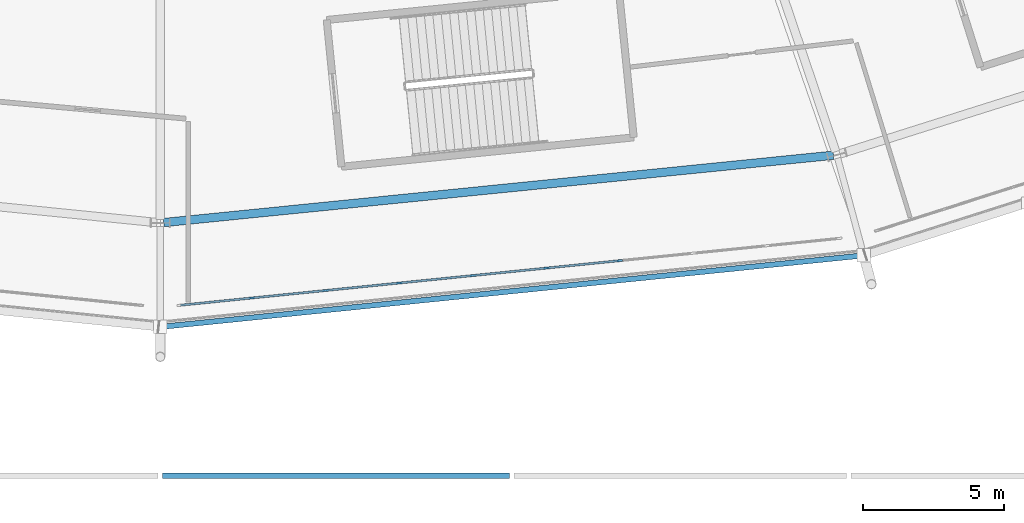
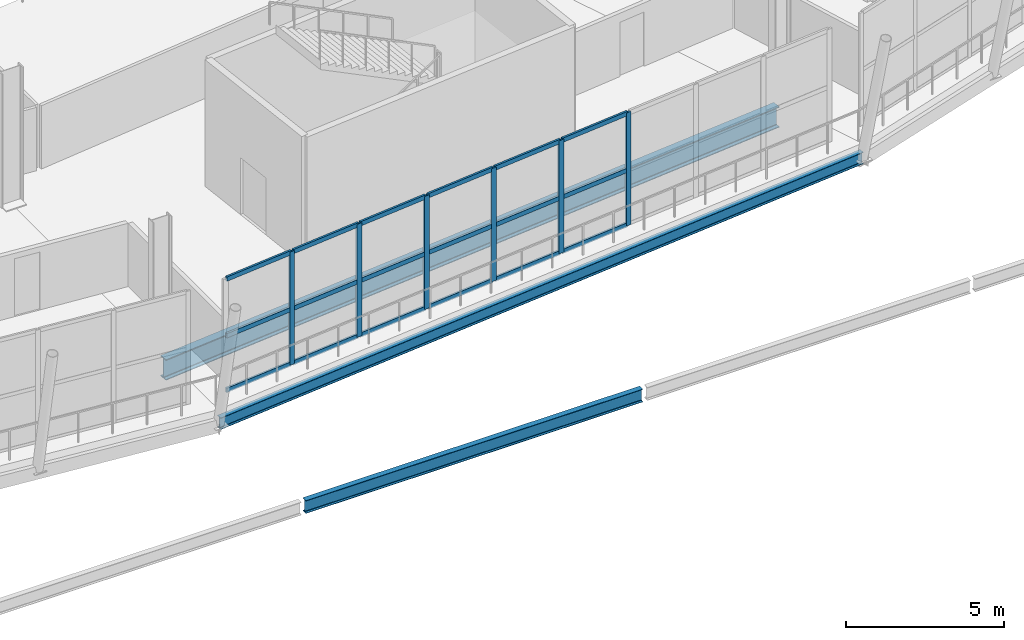
# One storey, part 33 of 168: 24 members, 3 beams, 1 element without a shape of its own.
"""IFC4 building model written with IfcOpenShell, lengths in metres."""

from ifc_helpers import new_model, si_unit, direction, frame, origin, origin_2d, place, context, subcontext, project, spatial, rectangle, i_section, extrude, material, material_profile, profile_set, type_object, element, aggregate, save


model = new_model("IFC4")

# Units and contexts
model_context = context("Model", 3, precision=1e-05, world=origin(), true_north=direction((0.0, 1.0)))
body_context = subcontext(model_context, "Body", "Model", "MODEL_VIEW")
ifc_project = project(units=[si_unit("LENGTHUNIT", "METRE"), si_unit("AREAUNIT", "SQUARE_METRE"), si_unit("VOLUMEUNIT", "CUBIC_METRE"), si_unit("PLANEANGLEUNIT", "RADIAN"), si_unit("MASSUNIT", "GRAM", prefix="KILO")], contexts=[model_context])

# Site, building, storey
site_placement = place(None, origin())
site = spatial("IfcSite", under=ifc_project, at=site_placement, CompositionType="ELEMENT")
building_placement = place(site_placement, origin())
building = spatial("IfcBuilding", under=site, at=building_placement, Name="Zlatoyarsky Gate Stadium", CompositionType="ELEMENT")
storey_placement = place(building_placement, frame((0.0, 0.0, 15.60009765625)))
storey = spatial("IfcBuildingStorey", under=building, at=storey_placement, Name="L03", CompositionType="ELEMENT", Elevation=15.60009765625)

# Curtain wall, members
ifc_material_1 = material(Name="Thermally broken anodised aluminium curtain wall", Category="aluminium")
curtain_wall_type = type_object("IfcCurtainWallType", Name="MONUMENTAL ARCHED GATE GLAZING UPPER", PredefinedType="USERDEFINED", material=ifc_material_1)
curtain_wall_placement = place(storey_placement, origin())
curtain_wall = element("IfcCurtainWall", 1, at=curtain_wall_placement, inside=storey, type_object=curtain_wall_type, Name="Curtain wall CW-L03-18", ObjectType="ARCHED GATE GLAZING", PredefinedType="USERDEFINED")
ifc_material_2 = material(Name="Anodised aluminium 6063-T6", Category="aluminium")
ifc_material_profile_1 = material_profile(ifc_material_2, rectangle(XDim=0.074951171875, YDim=0.18994140625, at=origin_2d()), Name="ALU 75X190")
ifc_profile_set_1 = profile_set([ifc_material_profile_1], Name="Anodised aluminium 6063-T6")
member_type_1 = type_object("IfcMemberType", Name="ALUMINIUM GATE MULLION 75X190", PredefinedType="MULLION", material=ifc_profile_set_1)
member_1_placement = place(storey_placement, frame((114.263671875, 6.3291015625, 0.0), z_axis=(0.0, 0.0, 1.0), x_axis=(-0.100968176403, 0.994889655868, 0.0)))
member_1 = element("IfcMember", 2, at=member_1_placement, type_object=member_type_1, Name="CW-AG2 mullion 2", PredefinedType="MULLION", context=body_context, shape_type="SweptSolid", body=[
    extrude(rectangle(XDim=0.074951171875, YDim=0.18994140625, at=origin_2d()), origin(), (0.0, 0.0, 1.0), 4.3798828125),
])
member_2_placement = place(storey_placement, frame((116.880859375, 6.594482421875, 0.0), z_axis=(0.0, 0.0, 1.0), x_axis=(-0.100968176403, 0.994889655868, 0.0)))
member_2 = element("IfcMember", 3, at=member_2_placement, type_object=member_type_1, Name="CW-AG2 mullion 3", PredefinedType="MULLION", context=body_context, shape_type="SweptSolid", body=[
    extrude(rectangle(XDim=0.074951171875, YDim=0.18994140625, at=origin_2d()), origin(), (0.0, 0.0, 1.0), 4.3798828125),
])
member_3_placement = place(storey_placement, frame((119.498046875, 6.860107421875, 0.0), z_axis=(0.0, 0.0, 1.0), x_axis=(-0.100968176403, 0.994889655868, 0.0)))
member_3 = element("IfcMember", 4, at=member_3_placement, type_object=member_type_1, Name="CW-AG2 mullion 4", PredefinedType="MULLION", context=body_context, shape_type="SweptSolid", body=[
    extrude(rectangle(XDim=0.074951171875, YDim=0.18994140625, at=origin_2d()), origin(), (0.0, 0.0, 1.0), 4.3798828125),
])
member_4_placement = place(storey_placement, frame((122.114990234375, 7.125732421875, 0.0), z_axis=(0.0, 0.0, 1.0), x_axis=(-0.100968176403, 0.994889655868, 0.0)))
member_4 = element("IfcMember", 5, at=member_4_placement, type_object=member_type_1, Name="CW-AG2 mullion 5", PredefinedType="MULLION", context=body_context, shape_type="SweptSolid", body=[
    extrude(rectangle(XDim=0.074951171875, YDim=0.18994140625, at=origin_2d()), origin(), (0.0, 0.0, 1.0), 4.3798828125),
])
member_5_placement = place(storey_placement, frame((124.732177734375, 7.391357421875, 0.0), z_axis=(0.0, 0.0, 1.0), x_axis=(-0.100968176403, 0.994889655868, 0.0)))
member_5 = element("IfcMember", 6, at=member_5_placement, type_object=member_type_1, Name="CW-AG2 mullion 6", PredefinedType="MULLION", context=body_context, shape_type="SweptSolid", body=[
    extrude(rectangle(XDim=0.074951171875, YDim=0.18994140625, at=origin_2d()), origin(), (0.0, 0.0, 1.0), 4.3798828125),
])
member_6_placement = place(storey_placement, frame((127.34912109375, 7.656982421875, 0.0), z_axis=(0.0, 0.0, 1.0), x_axis=(-0.100968176403, 0.994889655868, 0.0)))
member_6 = element("IfcMember", 7, at=member_6_placement, type_object=member_type_1, Name="CW-AG2 mullion 7", PredefinedType="MULLION", context=body_context, shape_type="SweptSolid", body=[
    extrude(rectangle(XDim=0.074951171875, YDim=0.18994140625, at=origin_2d()), origin(), (0.0, 0.0, 1.0), 4.3798828125),
])
ifc_material_profile_2 = material_profile(ifc_material_2, rectangle(XDim=0.074951171875, YDim=0.169921875, at=origin_2d()), Name="ALU 75X170")
ifc_profile_set_2 = profile_set([ifc_material_profile_2], Name="Anodised aluminium 6063-T6")
member_type_2 = type_object("IfcMemberType", Name="ALUMINIUM GATE TRANSOM 75X170", PredefinedType="USERDEFINED", material=ifc_profile_set_2)
member_7_placement = place(storey_placement, frame((111.721435546875, 6.071044921875, 0.037353515625), z_axis=(0.994893124044, 0.100933996894, 0.0), x_axis=(-0.100933996894, 0.994893124044, 0.0)))
member_7 = element("IfcMember", 8, at=member_7_placement, type_object=member_type_2, Name="CW-AG2 transom 1.1", ObjectType="TRANSOM", PredefinedType="USERDEFINED", context=body_context, shape_type="SweptSolid", body=[
    extrude(rectangle(XDim=0.074951171875, YDim=0.169921875, at=origin_2d()), origin(), (0.0, 0.0, 1.0), 2.51806640625),
])
member_8_placement = place(storey_placement, frame((111.721435546875, 6.071044921875, 2.14990234375), z_axis=(0.994893124044, 0.100933996894, 0.0), x_axis=(-0.100933996894, 0.994893124044, 0.0)))
member_8 = element("IfcMember", 9, at=member_8_placement, type_object=member_type_2, Name="CW-AG2 transom 1.2", ObjectType="TRANSOM", PredefinedType="USERDEFINED", context=body_context, shape_type="SweptSolid", body=[
    extrude(rectangle(XDim=0.074951171875, YDim=0.169921875, at=origin_2d()), origin(), (0.0, 0.0, 1.0), 2.51806640625),
])
member_9_placement = place(storey_placement, frame((111.721435546875, 6.071044921875, 4.34228515625), z_axis=(0.994893124044, 0.100933996894, 0.0), x_axis=(-0.100933996894, 0.994893124044, 0.0)))
member_9 = element("IfcMember", 10, at=member_9_placement, type_object=member_type_2, Name="CW-AG2 transom 1.3", ObjectType="TRANSOM", PredefinedType="USERDEFINED", context=body_context, shape_type="SweptSolid", body=[
    extrude(rectangle(XDim=0.074951171875, YDim=0.169921875, at=origin_2d()), origin(), (0.0, 0.0, 1.0), 2.51806640625),
])
member_10_placement = place(storey_placement, frame((114.301025390625, 6.332763671875, 0.037353515625), z_axis=(0.994888539036, 0.100979180503, 0.0), x_axis=(-0.100979180503, 0.994888539036, 0.0)))
member_10 = element("IfcMember", 11, at=member_10_placement, type_object=member_type_2, Name="CW-AG2 transom 2.1", ObjectType="TRANSOM", PredefinedType="USERDEFINED", context=body_context, shape_type="SweptSolid", body=[
    extrude(rectangle(XDim=0.074951171875, YDim=0.169921875, at=origin_2d()), origin(), (0.0, 0.0, 1.0), 2.5556640625),
])
member_11_placement = place(storey_placement, frame((114.301025390625, 6.332763671875, 2.14990234375), z_axis=(0.994888539036, 0.100979180503, 0.0), x_axis=(-0.100979180503, 0.994888539036, 0.0)))
member_11 = element("IfcMember", 12, at=member_11_placement, type_object=member_type_2, Name="CW-AG2 transom 2.2", ObjectType="TRANSOM", PredefinedType="USERDEFINED", context=body_context, shape_type="SweptSolid", body=[
    extrude(rectangle(XDim=0.074951171875, YDim=0.169921875, at=origin_2d()), origin(), (0.0, 0.0, 1.0), 2.5556640625),
])
member_12_placement = place(storey_placement, frame((114.301025390625, 6.332763671875, 4.34228515625), z_axis=(0.994888539036, 0.100979180503, 0.0), x_axis=(-0.100979180503, 0.994888539036, 0.0)))
member_12 = element("IfcMember", 13, at=member_12_placement, type_object=member_type_2, Name="CW-AG2 transom 2.3", ObjectType="TRANSOM", PredefinedType="USERDEFINED", context=body_context, shape_type="SweptSolid", body=[
    extrude(rectangle(XDim=0.074951171875, YDim=0.169921875, at=origin_2d()), origin(), (0.0, 0.0, 1.0), 2.5556640625),
])
member_13_placement = place(storey_placement, frame((116.918212890625, 6.598388671875, 0.037353515625), z_axis=(0.994888539036, 0.100979180503, 0.0), x_axis=(-0.100979180503, 0.994888539036, 0.0)))
member_13 = element("IfcMember", 14, at=member_13_placement, type_object=member_type_2, Name="CW-AG2 transom 3.1", ObjectType="TRANSOM", PredefinedType="USERDEFINED", context=body_context, shape_type="SweptSolid", body=[
    extrude(rectangle(XDim=0.074951171875, YDim=0.169921875, at=origin_2d()), origin(), (0.0, 0.0, 1.0), 2.5556640625),
])
member_14_placement = place(storey_placement, frame((116.918212890625, 6.598388671875, 2.14990234375), z_axis=(0.994888539036, 0.100979180503, 0.0), x_axis=(-0.100979180503, 0.994888539036, 0.0)))
member_14 = element("IfcMember", 15, at=member_14_placement, type_object=member_type_2, Name="CW-AG2 transom 3.2", ObjectType="TRANSOM", PredefinedType="USERDEFINED", context=body_context, shape_type="SweptSolid", body=[
    extrude(rectangle(XDim=0.074951171875, YDim=0.169921875, at=origin_2d()), origin(), (0.0, 0.0, 1.0), 2.5556640625),
])
member_15_placement = place(storey_placement, frame((116.918212890625, 6.598388671875, 4.34228515625), z_axis=(0.994888539036, 0.100979180503, 0.0), x_axis=(-0.100979180503, 0.994888539036, 0.0)))
member_15 = element("IfcMember", 16, at=member_15_placement, type_object=member_type_2, Name="CW-AG2 transom 3.3", ObjectType="TRANSOM", PredefinedType="USERDEFINED", context=body_context, shape_type="SweptSolid", body=[
    extrude(rectangle(XDim=0.074951171875, YDim=0.169921875, at=origin_2d()), origin(), (0.0, 0.0, 1.0), 2.5556640625),
])
member_16_placement = place(storey_placement, frame((119.53515625, 6.864013671875, 0.037353515625), z_axis=(0.994888539036, 0.100979180503, 0.0), x_axis=(-0.100979180503, 0.994888539036, 0.0)))
member_16 = element("IfcMember", 17, at=member_16_placement, type_object=member_type_2, Name="CW-AG2 transom 4.1", ObjectType="TRANSOM", PredefinedType="USERDEFINED", context=body_context, shape_type="SweptSolid", body=[
    extrude(rectangle(XDim=0.074951171875, YDim=0.169921875, at=origin_2d()), origin(), (0.0, 0.0, 1.0), 2.5556640625),
])
member_17_placement = place(storey_placement, frame((119.53515625, 6.864013671875, 2.14990234375), z_axis=(0.994888539036, 0.100979180503, 0.0), x_axis=(-0.100979180503, 0.994888539036, 0.0)))
member_17 = element("IfcMember", 18, at=member_17_placement, type_object=member_type_2, Name="CW-AG2 transom 4.2", ObjectType="TRANSOM", PredefinedType="USERDEFINED", context=body_context, shape_type="SweptSolid", body=[
    extrude(rectangle(XDim=0.074951171875, YDim=0.169921875, at=origin_2d()), origin(), (0.0, 0.0, 1.0), 2.5556640625),
])
member_18_placement = place(storey_placement, frame((119.53515625, 6.864013671875, 4.34228515625), z_axis=(0.994888539036, 0.100979180503, 0.0), x_axis=(-0.100979180503, 0.994888539036, 0.0)))
member_18 = element("IfcMember", 19, at=member_18_placement, type_object=member_type_2, Name="CW-AG2 transom 4.3", ObjectType="TRANSOM", PredefinedType="USERDEFINED", context=body_context, shape_type="SweptSolid", body=[
    extrude(rectangle(XDim=0.074951171875, YDim=0.169921875, at=origin_2d()), origin(), (0.0, 0.0, 1.0), 2.5556640625),
])
member_19_placement = place(storey_placement, frame((122.15234375, 7.129638671875, 0.037353515625), z_axis=(0.994888539036, 0.100979180503, 0.0), x_axis=(-0.100979180503, 0.994888539036, 0.0)))
member_19 = element("IfcMember", 20, at=member_19_placement, type_object=member_type_2, Name="CW-AG2 transom 5.1", ObjectType="TRANSOM", PredefinedType="USERDEFINED", context=body_context, shape_type="SweptSolid", body=[
    extrude(rectangle(XDim=0.074951171875, YDim=0.169921875, at=origin_2d()), origin(), (0.0, 0.0, 1.0), 2.5556640625),
])
member_20_placement = place(storey_placement, frame((122.15234375, 7.129638671875, 2.14990234375), z_axis=(0.994888539036, 0.100979180503, 0.0), x_axis=(-0.100979180503, 0.994888539036, 0.0)))
member_20 = element("IfcMember", 21, at=member_20_placement, type_object=member_type_2, Name="CW-AG2 transom 5.2", ObjectType="TRANSOM", PredefinedType="USERDEFINED", context=body_context, shape_type="SweptSolid", body=[
    extrude(rectangle(XDim=0.074951171875, YDim=0.169921875, at=origin_2d()), origin(), (0.0, 0.0, 1.0), 2.5556640625),
])
member_21_placement = place(storey_placement, frame((122.15234375, 7.129638671875, 4.34228515625), z_axis=(0.994888539036, 0.100979180503, 0.0), x_axis=(-0.100979180503, 0.994888539036, 0.0)))
member_21 = element("IfcMember", 22, at=member_21_placement, type_object=member_type_2, Name="CW-AG2 transom 5.3", ObjectType="TRANSOM", PredefinedType="USERDEFINED", context=body_context, shape_type="SweptSolid", body=[
    extrude(rectangle(XDim=0.074951171875, YDim=0.169921875, at=origin_2d()), origin(), (0.0, 0.0, 1.0), 2.5556640625),
])
member_22_placement = place(storey_placement, frame((124.76953125, 7.395263671875, 0.037353515625), z_axis=(0.994888539036, 0.100979180503, 0.0), x_axis=(-0.100979180503, 0.994888539036, 0.0)))
member_22 = element("IfcMember", 23, at=member_22_placement, type_object=member_type_2, Name="CW-AG2 transom 6.1", ObjectType="TRANSOM", PredefinedType="USERDEFINED", context=body_context, shape_type="SweptSolid", body=[
    extrude(rectangle(XDim=0.074951171875, YDim=0.169921875, at=origin_2d()), origin(), (0.0, 0.0, 1.0), 2.5556640625),
])
member_23_placement = place(storey_placement, frame((124.76953125, 7.395263671875, 2.14990234375), z_axis=(0.994888539036, 0.100979180503, 0.0), x_axis=(-0.100979180503, 0.994888539036, 0.0)))
member_23 = element("IfcMember", 24, at=member_23_placement, type_object=member_type_2, Name="CW-AG2 transom 6.2", ObjectType="TRANSOM", PredefinedType="USERDEFINED", context=body_context, shape_type="SweptSolid", body=[
    extrude(rectangle(XDim=0.074951171875, YDim=0.169921875, at=origin_2d()), origin(), (0.0, 0.0, 1.0), 2.5556640625),
])
member_24_placement = place(storey_placement, frame((124.76953125, 7.395263671875, 4.34228515625), z_axis=(0.994888539036, 0.100979180503, 0.0), x_axis=(-0.100979180503, 0.994888539036, 0.0)))
member_24 = element("IfcMember", 25, at=member_24_placement, type_object=member_type_2, Name="CW-AG2 transom 6.3", ObjectType="TRANSOM", PredefinedType="USERDEFINED", context=body_context, shape_type="SweptSolid", body=[
    extrude(rectangle(XDim=0.074951171875, YDim=0.169921875, at=origin_2d()), origin(), (0.0, 0.0, 1.0), 2.5556640625),
])
aggregate(curtain_wall, [member_1, member_2, member_3, member_4, member_5, member_6, member_7, member_8, member_9, member_10, member_11, member_12, member_13, member_14, member_15, member_16, member_17, member_18, member_19, member_20, member_21, member_22, member_23, member_24])

# Beams
ifc_material_3 = material(Name="Steel S355", Category="steel")
ifc_material_profile_3 = material_profile(ifc_material_3, i_section(OverallWidth=0.18994140625, OverallDepth=0.449951171875, WebThickness=0.009521484375, FlangeThickness=0.0146484375, FilletRadius=0.02099609375, at=origin_2d()), Name="IPE 450")
ifc_profile_set_3 = profile_set([ifc_material_profile_3], Name="Steel S355")
beam_type_1 = type_object("IfcBeamType", Name="STEEL EDGE SPANDREL IPE 450", PredefinedType="SPANDREL", material=ifc_profile_set_3)
beam_1_placement = place(storey_placement, frame((111.02001953125, 5.2998046875, -0.505126953125), z_axis=(0.994867643299, 0.101184842327, 0.0), x_axis=(-0.101184842327, 0.994867643299, 0.0)))
element("IfcBeam", 26, at=beam_1_placement, inside=storey, type_object=beam_type_1, Name="Beam SP-IPE450 BM-L03-SPD-18", PredefinedType="SPANDREL", context=body_context, shape_type="SweptSolid", body=[
    extrude(i_section(OverallWidth=0.18994140625, OverallDepth=0.449951171875, WebThickness=0.009521484375, FlangeThickness=0.0146484375, FilletRadius=0.02099609375, at=origin_2d()), origin(), (0.0, 0.0, 1.0), 25.117431640625),
])
ifc_material_profile_4 = material_profile(ifc_material_3, i_section(OverallWidth=0.199951171875, OverallDepth=0.5, WebThickness=0.01025390625, FlangeThickness=0.01611328125, FilletRadius=0.02099609375, at=origin_2d()), Name="IPE 500")
ifc_profile_set_4 = profile_set([ifc_material_profile_4], Name="Steel S355")
beam_type_2 = type_object("IfcBeamType", Name="STEEL FLOOR BEAM IPE 500", PredefinedType="BEAM", material=ifc_profile_set_4)
beam_2_placement = place(storey_placement, frame((111.080078125, 0.0, -0.530029296875), z_axis=(1.0, 0.0, 0.0), x_axis=(0.0, 1.0, 0.0)))
element("IfcBeam", 27, at=beam_2_placement, inside=storey, type_object=beam_type_2, Name="Beam B-IPE500 BM-L03-WGX-10-A", PredefinedType="BEAM", context=body_context, shape_type="SweptSolid", body=[
    extrude(i_section(OverallWidth=0.199951171875, OverallDepth=0.5, WebThickness=0.01025390625, FlangeThickness=0.01611328125, FilletRadius=0.02099609375, at=origin_2d()), origin(), (0.0, 0.0, 1.0), 12.33984375),
])
ifc_material_profile_5 = material_profile(ifc_material_3, i_section(OverallWidth=0.300048828125, OverallDepth=0.800048828125, WebThickness=0.017578125, FlangeThickness=0.032958984375, FilletRadius=0.030029296875, at=origin_2d()), Name="HEB 800")
ifc_profile_set_5 = profile_set([ifc_material_profile_5], Name="Steel S355")
beam_type_3 = type_object("IfcBeamType", Name="STEEL PRIMARY GIRDER HEB 800", PredefinedType="BEAM", material=ifc_profile_set_5)
beam_3_placement = place(storey_placement, frame((111.119384765625, 9.011962890625, -0.68017578125), z_axis=(0.994986905268, 0.100005291586, 0.0), x_axis=(-0.100005291586, 0.994986905268, 0.0)))
element("IfcBeam", 28, at=beam_3_placement, inside=storey, type_object=beam_type_3, Name="Beam G-HEB800 BM-L03-CRC-18", PredefinedType="BEAM", context=body_context, shape_type="SweptSolid", body=[
    extrude(i_section(OverallWidth=0.300048828125, OverallDepth=0.800048828125, WebThickness=0.017578125, FlangeThickness=0.032958984375, FilletRadius=0.030029296875, at=origin_2d()), origin(), (0.0, 0.0, 1.0), 23.951416015625),
])

save(model, "model.ifc")
